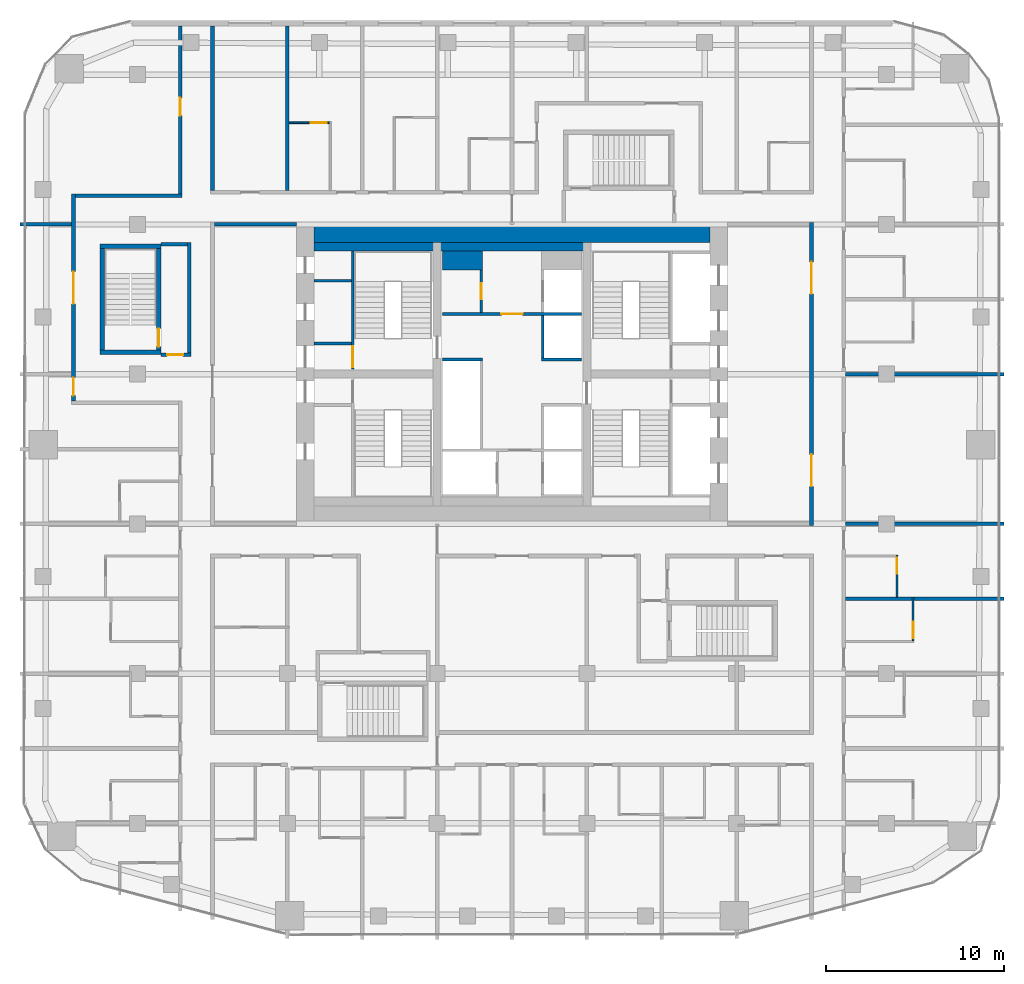
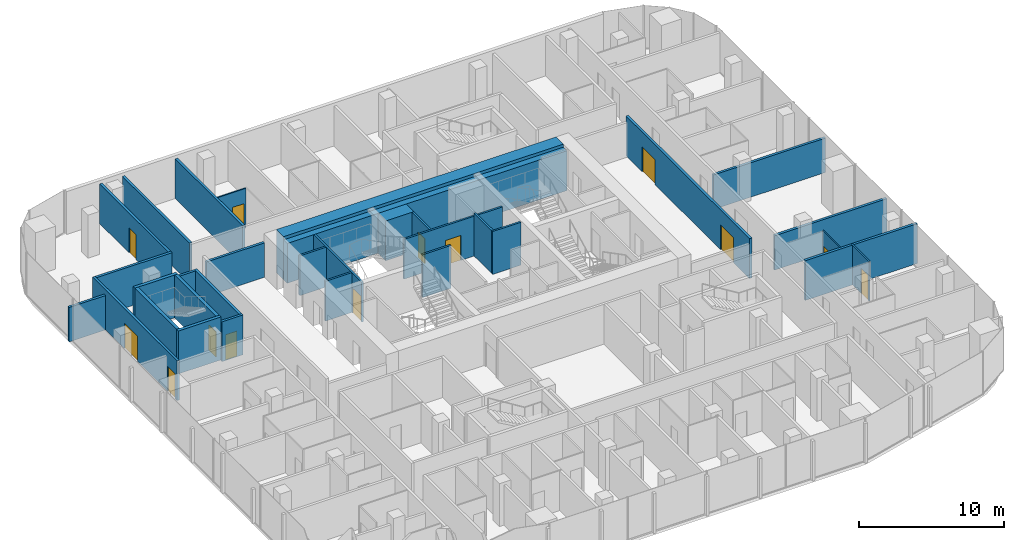
# One storey, part 18 of 23: 32 walls, 13 doors, 13 openings.
"""IFC4 building model written with IfcOpenShell, lengths in metres."""

from ifc_helpers import new_model, si_unit, direction, frame, frame_2d, origin, place, context, subcontext, project, spatial, rectangle, extrude, material, layer, layer_set, type_object, element, fill, save


model = new_model("IFC4")

# Units and contexts
model_context = context("Model", 3, precision=1e-05, world=origin(), true_north=direction((0.0, 1.0)))
body_context = subcontext(model_context, "Body", "Model", "MODEL_VIEW")
ifc_project = project(units=[si_unit("LENGTHUNIT", "METRE"), si_unit("AREAUNIT", "SQUARE_METRE"), si_unit("VOLUMEUNIT", "CUBIC_METRE"), si_unit("PLANEANGLEUNIT", "RADIAN"), si_unit("MASSUNIT", "GRAM", prefix="KILO")], contexts=[model_context])

# Site, building, storey
site_placement = place(None, origin())
site = spatial("IfcSite", under=ifc_project, at=site_placement, CompositionType="ELEMENT")
building_placement = place(site_placement, origin())
building = spatial("IfcBuilding", under=site, at=building_placement, Name="Marenta Gate Hotel Tower", CompositionType="ELEMENT")
storey_placement = place(building_placement, frame((0.0, 0.0, 104.89990234375)))
storey = spatial("IfcBuildingStorey", under=building, at=storey_placement, Name="L22", CompositionType="ELEMENT", Elevation=104.89990234375)

# Wall
ifc_material_1 = material(Name="Concrete blockwork", Category="masonry")
ifc_layer_1 = layer(ifc_material_1, 0.199951171875)
ifc_layer_set_1 = layer_set([ifc_layer_1], Name="Concrete blockwork")
wall_type_1 = type_object("IfcWallType", Name="Core boundary wall 200 REI 180", PredefinedType="PARTITIONING", material=ifc_layer_set_1)
wall_1_placement = place(storey_placement, frame((-16.699951171875, 16.800048828125, 0.0), z_axis=(0.0, 0.0, 1.0), x_axis=(1.0, 0.0, 0.0)))
element("IfcWall", 1, at=wall_1_placement, inside=storey, type_object=wall_type_1, Name="L22-CP-EW-WN", PredefinedType="PARTITIONING", context=body_context, shape_type="SweptSolid", body=[
    extrude(rectangle(XDim=4.599853515625, YDim=0.199951171875, at=frame_2d((2.2998046875, 0.0))), origin(), (0.0, 0.0, 1.0), 2.89013671875),
])

# Wall, openings, doors
wall_2_placement = place(storey_placement, frame((16.800048828125, -0.10009765625, 0.0), z_axis=(0.0, 0.0, 1.0), x_axis=(0.0, 1.0, 0.0)))
wall_2 = element("IfcWall", 2, at=wall_2_placement, inside=storey, type_object=wall_type_1, Name="L22-CP-BW-E", PredefinedType="PARTITIONING", context=body_context, shape_type="SweptSolid", body=[
    extrude(rectangle(XDim=17.0, YDim=0.199951171875, at=frame_2d((8.5, 0.0))), origin(), (0.0, 0.0, 1.0), 3.340087890625),
])
opening_1_placement = place(wall_2_placement, frame((2.199951171875, 0.0, 0.0)))
opening_1 = element("IfcOpeningElement", 3, at=opening_1_placement, cuts=wall_2, Name="Opening ED-Ea-B", PredefinedType="OPENING", context=body_context, shape_type="SweptSolid", body=[
    extrude(rectangle(XDim=1.800048828125, YDim=2.10009765625, at=frame_2d((0.89990234375, 1.050048828125))), frame((0.0, 0.10009765625, 0.0), z_axis=(0.0, -1.0, 0.0), x_axis=(1.0, 0.0, 0.0)), (0.0, 0.0, 1.0), 0.199951171875),
])
opening_2_placement = place(wall_2_placement, frame((13.0, 0.0, 0.0)))
opening_2 = element("IfcOpeningElement", 4, at=opening_2_placement, cuts=wall_2, Name="Opening ED-Eb-B", PredefinedType="OPENING", context=body_context, shape_type="SweptSolid", body=[
    extrude(rectangle(XDim=1.800048828125, YDim=2.10009765625, at=frame_2d((0.89990234375, 1.050048828125))), frame((0.0, 0.10009765625, 0.0), z_axis=(0.0, -1.0, 0.0), x_axis=(1.0, 0.0, 0.0)), (0.0, 0.0, 1.0), 0.199951171875),
])
ifc_material_2 = material(Name="Steel", Category="steel")
door_type_1 = type_object("IfcDoorType", Name="Core lobby entrance door 1800x2100 EI 60", OperationType="DOUBLE_DOOR_SINGLE_SWING", PredefinedType="DOOR", material=ifc_material_2)
door_1_placement = place(opening_1_placement, origin())
door_1 = element("IfcDoor", 5, at=door_1_placement, inside=storey, type_object=door_type_1, Name="ED-Ea-B", OperationType="DOUBLE_DOOR_SINGLE_SWING", OverallHeight=2.10009765625, OverallWidth=1.800048828125, PredefinedType="DOOR", context=body_context, shape_type="SweptSolid", body=[
    extrude(rectangle(XDim=1.800048828125, YDim=2.10009765625, at=frame_2d((0.89990234375, 1.050048828125))), frame((0.0, 0.02490234375, 0.0), z_axis=(0.0, -1.0, 0.0), x_axis=(1.0, 0.0, 0.0)), (0.0, 0.0, 1.0), 0.050048828125),
])
fill(opening_1, door_1)
door_2_placement = place(opening_2_placement, origin())
door_2 = element("IfcDoor", 6, at=door_2_placement, inside=storey, type_object=door_type_1, Name="ED-Eb-B", OperationType="DOUBLE_DOOR_SINGLE_SWING", OverallHeight=2.10009765625, OverallWidth=1.800048828125, PredefinedType="DOOR", context=body_context, shape_type="SweptSolid", body=[
    extrude(rectangle(XDim=1.800048828125, YDim=2.10009765625, at=frame_2d((0.89990234375, 1.050048828125))), frame((0.0, 0.02490234375, 0.0), z_axis=(0.0, -1.0, 0.0), x_axis=(1.0, 0.0, 0.0)), (0.0, 0.0, 1.0), 0.050048828125),
])
fill(opening_2, door_2)

# Wall
ifc_material_3 = material(Name="Concrete C40", Category="concrete")
ifc_layer_2 = layer(ifc_material_3, 0.5)
ifc_layer_set_2 = layer_set([ifc_layer_2], Name="Concrete C40")
wall_type_2 = type_object("IfcWallType", Name="Core lining wall 500 REI 180", PredefinedType="PARTITIONING", material=ifc_layer_set_2)
wall_3_placement = place(storey_placement, frame((-11.10009765625, 15.550048828125, 0.0), z_axis=(0.0, 0.0, 1.0), x_axis=(1.0, 0.0, 0.0)))
element("IfcWall", 7, at=wall_3_placement, inside=storey, type_object=wall_type_2, Name="L22-CP-LN-N", PredefinedType="PARTITIONING", context=body_context, shape_type="SweptSolid", body=[
    extrude(rectangle(XDim=22.2001953125, YDim=0.5, at=frame_2d((11.10009765625, 0.0))), origin(), (0.0, 0.0, 1.0), 3.340087890625),
])

# Wall, opening, door
ifc_material_4 = material(Name="Concrete blockwork", Category="masonry")
ifc_layer_3 = layer(ifc_material_4, 0.14990234375)
ifc_layer_set_3 = layer_set([ifc_layer_3], Name="Concrete blockwork")
wall_type_3 = type_object("IfcWallType", Name="Core lobby partition 150 REI 180", PredefinedType="PARTITIONING", material=ifc_layer_set_3)
wall_4_placement = place(storey_placement, frame((-3.89990234375, 11.77490234375, 0.0), z_axis=(0.0, 0.0, 1.0), x_axis=(1.0, 0.0, 0.0)))
wall_4 = element("IfcWall", 8, at=wall_4_placement, inside=storey, type_object=wall_type_3, Name="L22-CP-CW-N", PredefinedType="PARTITIONING", context=body_context, shape_type="SweptSolid", body=[
    extrude(rectangle(XDim=7.7998046875, YDim=0.14990234375, at=frame_2d((3.89990234375, 0.0))), origin(), (0.0, 0.0, 1.0), 3.340087890625),
])
opening_3_placement = place(wall_4_placement, frame((3.300048828125, 0.0, 0.0)))
opening_3 = element("IfcOpeningElement", 9, at=opening_3_placement, cuts=wall_4, Name="Opening FD-FFN", PredefinedType="OPENING", context=body_context, shape_type="SweptSolid", body=[
    extrude(rectangle(XDim=1.199951171875, YDim=2.10009765625, at=frame_2d((0.60009765625, 1.050048828125))), frame((0.0, 0.074951171875, 0.0), z_axis=(0.0, -1.0, 0.0), x_axis=(1.0, 0.0, 0.0)), (0.0, 0.0, 1.0), 0.14990234375),
])
ifc_material_5 = material(Name="Steel", Category="steel")
door_type_2 = type_object("IfcDoorType", Name="Core lobby door 1200x2100 FD60", OperationType="SINGLE_SWING_LEFT", PredefinedType="DOOR", material=ifc_material_5)
door_3_placement = place(opening_3_placement, origin())
door_3 = element("IfcDoor", 10, at=door_3_placement, inside=storey, type_object=door_type_2, Name="FD-FFN", OperationType="SINGLE_SWING_LEFT", OverallHeight=2.10009765625, OverallWidth=1.199951171875, PredefinedType="DOOR", context=body_context, shape_type="SweptSolid", body=[
    extrude(rectangle(XDim=1.199951171875, YDim=2.10009765625, at=frame_2d((0.60009765625, 1.050048828125))), frame((0.0, 0.02490234375, 0.0), z_axis=(0.0, -1.0, 0.0), x_axis=(1.0, 0.0, 0.0)), (0.0, 0.0, 1.0), 0.050048828125),
])
fill(opening_3, door_3)

# Walls
ifc_material_6 = material(Name="Concrete blockwork", Category="masonry")
ifc_layer_4 = layer(ifc_material_6, 1.050048828125)
ifc_layer_set_4 = layer_set([ifc_layer_4], Name="Concrete blockwork")
wall_type_4 = type_object("IfcWallType", Name="Core room partition 1050 REI 180", PredefinedType="PARTITIONING", material=ifc_layer_set_4)
wall_5_placement = place(storey_placement, frame((-3.89990234375, 14.77490234375, 0.0), z_axis=(0.0, 0.0, 1.0), x_axis=(1.0, 0.0, 0.0)))
element("IfcWall", 11, at=wall_5_placement, inside=storey, type_object=wall_type_4, Name="L22-CP-CW-W-riser-N", PredefinedType="PARTITIONING", context=body_context, shape_type="SweptSolid", body=[
    extrude(rectangle(XDim=2.25, YDim=1.050048828125, at=frame_2d((1.125, 0.0))), origin(), (0.0, 0.0, 1.0), 3.340087890625),
])
ifc_material_7 = material(Name="Concrete blockwork", Category="masonry")
ifc_layer_5 = layer(ifc_material_7, 0.14990234375)
ifc_layer_set_5 = layer_set([ifc_layer_5], Name="Concrete blockwork")
wall_type_5 = type_object("IfcWallType", Name="Core room partition 150 REI 180", PredefinedType="PARTITIONING", material=ifc_layer_set_5)
for number, where, z_axis, x_axis, name in (
    (12, (-11.10009765625, 10.125, 0.0), (0.0, 0.0, 1.0), (1.0, 0.0, 0.0), "L22-CP-SW-WN-2"),
    (13, (-11.10009765625, 13.64990234375, 0.0), (0.0, 0.0, 1.0), (1.0, 0.0, 0.0), "L22-CP-RW-WN-1"),
):
    element("IfcWall", number, at=place(storey_placement, frame(where, z_axis=z_axis, x_axis=x_axis)), inside=storey, type_object=wall_type_5, Name=name, PredefinedType="PARTITIONING", context=body_context, shape_type="SweptSolid", body=[
        extrude(rectangle(XDim=2.10009765625, YDim=0.14990234375, at=frame_2d((1.050048828125, 0.0))), origin(), (0.0, 0.0, 1.0), 3.340087890625),
    ])

# Wall, opening, door
wall_6_placement = place(storey_placement, frame((-1.72509765625, 11.85009765625, 0.0), z_axis=(0.0, 0.0, 1.0), x_axis=(0.0, 1.0, 0.0)))
wall_6 = element("IfcWall", 14, at=wall_6_placement, inside=storey, type_object=wall_type_5, Name="L22-CP-CW-W-riser-front", PredefinedType="PARTITIONING", context=body_context, shape_type="SweptSolid", body=[
    extrude(rectangle(XDim=2.39990234375, YDim=0.14990234375, at=frame_2d((1.199951171875, 0.0))), origin(), (0.0, 0.0, 1.0), 3.340087890625),
])
opening_4_placement = place(wall_6_placement, frame((0.75, 0.0, 0.0)))
opening_4 = element("IfcOpeningElement", 15, at=opening_4_placement, cuts=wall_6, Name="Opening RD-CRISER", PredefinedType="OPENING", context=body_context, shape_type="SweptSolid", body=[
    extrude(rectangle(XDim=0.89990234375, YDim=2.10009765625, at=frame_2d((0.449951171875, 1.050048828125))), frame((0.0, 0.074951171875, 0.0), z_axis=(0.0, -1.0, 0.0), x_axis=(1.0, 0.0, 0.0)), (0.0, 0.0, 1.0), 0.14990234375),
])
ifc_material_8 = material(Name="Steel", Category="steel")
door_type_3 = type_object("IfcDoorType", Name="Core riser door 900x2100 FD60", OperationType="SINGLE_SWING_LEFT", PredefinedType="DOOR", material=ifc_material_8)
door_4_placement = place(opening_4_placement, origin())
door_4 = element("IfcDoor", 16, at=door_4_placement, inside=storey, type_object=door_type_3, Name="RD-CRISER", OperationType="SINGLE_SWING_LEFT", OverallHeight=2.10009765625, OverallWidth=0.89990234375, PredefinedType="DOOR", context=body_context, shape_type="SweptSolid", body=[
    extrude(rectangle(XDim=0.89990234375, YDim=2.10009765625, at=frame_2d((0.449951171875, 1.050048828125))), frame((0.0, 0.02490234375, 0.0), z_axis=(0.0, -1.0, 0.0), x_axis=(1.0, 0.0, 0.0)), (0.0, 0.0, 1.0), 0.050048828125),
])
fill(opening_4, door_4)

# Walls
ifc_material_9 = material(Name="Concrete C40", Category="concrete")
ifc_layer_6 = layer(ifc_material_9, 0.14990234375)
ifc_layer_set_6 = layer_set([ifc_layer_6], Name="Concrete C40")
wall_type_6 = type_object("IfcWallType", Name="Core shaft wall 150 REI 180", PredefinedType="SHEAR", material=ifc_layer_set_6)
for number, where, z_axis, x_axis, name in (
    (17, (-3.89990234375, 9.22509765625, 0.0), (0.0, 0.0, 1.0), (1.0, 0.0, 0.0), "L22-SHF-CW-W-sep"),
    (18, (1.64990234375, 9.22509765625, 0.0), (0.0, 0.0, 1.0), (1.0, 0.0, 0.0), "L22-SHF-CE-sep2"),
):
    element("IfcWall", number, at=place(storey_placement, frame(where, z_axis=z_axis, x_axis=x_axis)), inside=storey, type_object=wall_type_6, Name=name, PredefinedType="SHEAR", context=body_context, shape_type="SweptSolid", body=[
        extrude(rectangle(XDim=2.25, YDim=0.14990234375, at=frame_2d((1.125, 0.0))), origin(), (0.0, 0.0, 1.0), 3.60009765625),
    ])
wall_7_placement = place(storey_placement, frame((1.72509765625, 9.300048828125, 0.0), z_axis=(0.0, 0.0, 1.0), x_axis=(0.0, 1.0, 0.0)))
element("IfcWall", 19, at=wall_7_placement, inside=storey, type_object=wall_type_6, Name="L22-SHF-CE-front-2", PredefinedType="SHEAR", context=body_context, shape_type="SweptSolid", body=[
    extrude(rectangle(XDim=2.39990234375, YDim=0.14990234375, at=frame_2d((1.199951171875, 0.0))), origin(), (0.0, 0.0, 1.0), 3.60009765625),
])

# Wall, opening, door
ifc_material_10 = material(Name="Concrete C40", Category="concrete")
ifc_layer_7 = layer(ifc_material_10, 0.14990234375)
ifc_layer_set_7 = layer_set([ifc_layer_7], Name="Concrete C40")
wall_type_7 = type_object("IfcWallType", Name="Core stair enclosure wall 150 REI 180", PredefinedType="SHEAR", material=ifc_layer_set_7)
wall_8_placement = place(storey_placement, frame((-8.925048828125, 8.699951171875, 0.0), z_axis=(0.0, 0.0, 1.0), x_axis=(0.0, 1.0, 0.0)))
wall_8 = element("IfcWall", 20, at=wall_8_placement, inside=storey, type_object=wall_type_7, Name="L22-SHF-SW-WN-3", PredefinedType="SHEAR", context=body_context, shape_type="SweptSolid", body=[
    extrude(rectangle(XDim=6.60009765625, YDim=0.14990234375, at=frame_2d((3.300048828125, 0.0))), origin(), (0.0, 0.0, 1.0), 3.340087890625),
])
opening_5_placement = place(wall_8_placement, frame((0.074951171875, 0.0, 0.0)))
opening_5 = element("IfcOpeningElement", 21, at=opening_5_placement, cuts=wall_8, Name="Opening SD-WN", PredefinedType="OPENING", context=body_context, shape_type="SweptSolid", body=[
    extrude(rectangle(XDim=1.199951171875, YDim=2.10009765625, at=frame_2d((0.60009765625, 1.050048828125))), frame((0.0, 0.074951171875, 0.0), z_axis=(0.0, -1.0, 0.0), x_axis=(1.0, 0.0, 0.0)), (0.0, 0.0, 1.0), 0.14990234375),
])
ifc_material_11 = material(Name="Steel", Category="steel")
door_type_4 = type_object("IfcDoorType", Name="Core stair door 1200x2100 FD60", OperationType="SINGLE_SWING_LEFT", PredefinedType="DOOR", material=ifc_material_11)
door_5_placement = place(opening_5_placement, origin())
door_5 = element("IfcDoor", 22, at=door_5_placement, inside=storey, type_object=door_type_4, Name="SD-WN", OperationType="SINGLE_SWING_LEFT", OverallHeight=2.10009765625, OverallWidth=1.199951171875, PredefinedType="DOOR", context=body_context, shape_type="SweptSolid", body=[
    extrude(rectangle(XDim=1.199951171875, YDim=2.10009765625, at=frame_2d((0.60009765625, 1.050048828125))), frame((0.0, 0.02490234375, 0.0), z_axis=(0.0, -1.0, 0.0), x_axis=(1.0, 0.0, 0.0)), (0.0, 0.0, 1.0), 0.050048828125),
])
fill(opening_5, door_5)

# Walls
ifc_material_12 = material(Name="Concrete C70", Category="concrete")
ifc_layer_8 = layer(ifc_material_12, 1.0)
ifc_layer_set_8 = layer_set([ifc_layer_8], Name="Concrete C70")
wall_type_8 = type_object("IfcWallType", Name="Core wall 1000 C70", PredefinedType="SHEAR", material=ifc_layer_set_8)
wall_9_placement = place(storey_placement, frame((-11.10009765625, 16.300048828125, 0.0), z_axis=(0.0, 0.0, 1.0), x_axis=(1.0, 0.0, 0.0)))
element("IfcWall", 23, at=wall_9_placement, inside=storey, type_object=wall_type_8, Name="L22-CORE-N", PredefinedType="SHEAR", context=body_context, shape_type="SweptSolid", body=[
    extrude(rectangle(XDim=22.2001953125, YDim=1.0, at=frame_2d((11.10009765625, 0.0))), origin(), (0.0, 0.0, 1.0), 3.60009765625),
])
ifc_material_13 = material(Name="Concrete C40", Category="concrete")
ifc_layer_9 = layer(ifc_material_13, 0.25)
ifc_layer_set_9 = layer_set([ifc_layer_9], Name="Concrete C40")
wall_type_9 = type_object("IfcWallType", Name="Remote stair enclosure wall 250 REI 180", PredefinedType="SHEAR", material=ifc_layer_set_9)
for number, where, z_axis, x_axis, name in (
    (24, (-23.10009765625, 9.625, 0.10009765625), (0.0, 0.0, 1.0), (1.0, 0.0, 0.0), "L22-RS-Z1-3-W1"),
    (25, (-23.10009765625, 15.574951171875, 0.10009765625), (0.0, 0.0, 1.0), (1.0, 0.0, 0.0), "L22-RS-Z1-3-W2"),
):
    element("IfcWall", number, at=place(storey_placement, frame(where, z_axis=z_axis, x_axis=x_axis)), inside=storey, type_object=wall_type_9, Name=name, PredefinedType="SHEAR", context=body_context, shape_type="SweptSolid", body=[
        extrude(rectangle(XDim=3.400146484375, YDim=0.25, at=frame_2d((1.7001953125, 0.0))), origin(), (0.0, 0.0, 1.0), 3.60009765625),
    ])
wall_10_placement = place(storey_placement, frame((-22.97509765625, 9.75, 0.10009765625), z_axis=(0.0, 0.0, 1.0), x_axis=(0.0, 1.0, 0.0)))
element("IfcWall", 26, at=wall_10_placement, inside=storey, type_object=wall_type_9, Name="L22-RS-Z1-3-W3", PredefinedType="SHEAR", context=body_context, shape_type="SweptSolid", body=[
    extrude(rectangle(XDim=5.699951171875, YDim=0.25, at=frame_2d((2.85009765625, 0.0))), origin(), (0.0, 0.0, 1.0), 3.60009765625),
])

# Wall, opening, door
wall_11_placement = place(storey_placement, frame((-19.824951171875, 9.75, 0.10009765625), z_axis=(0.0, 0.0, 1.0), x_axis=(0.0, 1.0, 0.0)))
wall_11 = element("IfcWall", 27, at=wall_11_placement, inside=storey, type_object=wall_type_9, Name="L22-RS-Z1-3-W4", PredefinedType="SHEAR", context=body_context, shape_type="SweptSolid", body=[
    extrude(rectangle(XDim=5.699951171875, YDim=0.25, at=frame_2d((2.85009765625, 0.0))), origin(), (0.0, 0.0, 1.0), 3.60009765625),
])
opening_6_placement = place(wall_11_placement, frame((0.199951171875, 0.0, 0.0)))
opening_6 = element("IfcOpeningElement", 28, at=opening_6_placement, cuts=wall_11, Name="Opening VD", PredefinedType="OPENING", context=body_context, shape_type="SweptSolid", body=[
    extrude(rectangle(XDim=1.0, YDim=2.10009765625, at=frame_2d((0.5, 1.050048828125))), frame((0.0, 0.125, 0.0), z_axis=(0.0, -1.0, 0.0), x_axis=(1.0, 0.0, 0.0)), (0.0, 0.0, 1.0), 0.25),
])
ifc_material_14 = material(Name="Steel", Category="steel")
door_type_5 = type_object("IfcDoorType", Name="Stair vestibule door 1000x2100 FD60", OperationType="SINGLE_SWING_LEFT", PredefinedType="DOOR", material=ifc_material_14)
door_6_placement = place(opening_6_placement, origin())
door_6 = element("IfcDoor", 29, at=door_6_placement, inside=storey, type_object=door_type_5, Name="VD", OperationType="SINGLE_SWING_LEFT", OverallHeight=2.10009765625, OverallWidth=1.0, PredefinedType="DOOR", context=body_context, shape_type="SweptSolid", body=[
    extrude(rectangle(XDim=1.0, YDim=2.10009765625, at=frame_2d((0.5, 1.050048828125))), frame((0.0, 0.02490234375, 0.0), z_axis=(0.0, -1.0, 0.0), x_axis=(1.0, 0.0, 0.0)), (0.0, 0.0, 1.0), 0.050048828125),
])
fill(opening_6, door_6)

# Walls
ifc_material_15 = material(Name="Gypsum board on steel stud", Category="steel")
ifc_layer_10 = layer(ifc_material_15, 0.199951171875)
ifc_layer_set_10 = layer_set([ifc_layer_10], Name="Gypsum board on steel stud")
wall_type_10 = type_object("IfcWallType", Name="Room corridor wall 200 EI 60", PredefinedType="PARTITIONING", material=ifc_layer_set_10)
wall_12_placement = place(storey_placement, frame((-16.800048828125, 18.699951171875, 0.0), z_axis=(0.0, 0.0, 1.0), x_axis=(0.0, 1.0, 0.0)))
element("IfcWall", 30, at=wall_12_placement, inside=storey, type_object=wall_type_10, Name="L22-PTN-W105", PredefinedType="PARTITIONING", context=body_context, shape_type="SweptSolid", body=[
    extrude(rectangle(XDim=9.239990234375, YDim=0.199951171875, at=frame_2d((4.6201171875, 0.0))), origin(), (0.0, 0.0, 1.0), 3.340087890625),
])
wall_13_placement = place(storey_placement, frame((-24.5, 18.39990234375, 0.0), z_axis=(0.0, 0.0, 1.0), x_axis=(1.0, 0.0, 0.0)))
element("IfcWall", 31, at=wall_13_placement, inside=storey, type_object=wall_type_10, Name="L22-PTN-W109", PredefinedType="PARTITIONING", context=body_context, shape_type="SweptSolid", body=[
    extrude(rectangle(XDim=6.0, YDim=0.199951171875, at=frame_2d((3.0, 0.0))), origin(), (0.0, 0.0, 1.0), 3.340087890625),
])

# Wall, opening, door
wall_14_placement = place(storey_placement, frame((-18.60009765625, 18.5, 0.0), z_axis=(0.0, 0.0, 1.0), x_axis=(0.0, 1.0, 0.0)))
wall_14 = element("IfcWall", 32, at=wall_14_placement, inside=storey, type_object=wall_type_10, Name="L22-PTN-W111", PredefinedType="PARTITIONING", context=body_context, shape_type="SweptSolid", body=[
    extrude(rectangle(XDim=9.43994140625, YDim=0.199951171875, at=frame_2d((4.719970703125, 0.0))), origin(), (0.0, 0.0, 1.0), 3.340087890625),
])
opening_7_placement = place(wall_14_placement, frame((4.39990234375, 0.0, 0.0)))
opening_7 = element("IfcOpeningElement", 33, at=opening_7_placement, cuts=wall_14, Name="Opening G08-70", PredefinedType="OPENING", context=body_context, shape_type="SweptSolid", body=[
    extrude(rectangle(XDim=1.0, YDim=2.10009765625, at=frame_2d((0.5, 1.050048828125))), frame((0.0, 0.10009765625, 0.0), z_axis=(0.0, -1.0, 0.0), x_axis=(1.0, 0.0, 0.0)), (0.0, 0.0, 1.0), 0.199951171875),
])
ifc_material_16 = material(Name="Timber door leaf", Category="wood")
door_type_6 = type_object("IfcDoorType", Name="Room amenity door 1000x2100 EI 30", OperationType="NOTDEFINED", PredefinedType="DOOR", material=ifc_material_16)
door_7_placement = place(opening_7_placement, origin())
door_7 = element("IfcDoor", 34, at=door_7_placement, inside=storey, type_object=door_type_6, Name="L22-PD-D070", OperationType="SINGLE_SWING_RIGHT", OverallHeight=2.10009765625, OverallWidth=1.0, PredefinedType="DOOR", context=body_context, shape_type="SweptSolid", body=[
    extrude(rectangle(XDim=1.0, YDim=2.10009765625, at=frame_2d((0.5, 1.050048828125))), frame((0.0, 0.02490234375, 0.0), z_axis=(0.0, -1.0, 0.0), x_axis=(1.0, 0.0, 0.0)), (0.0, 0.0, 1.0), 0.050048828125),
])
fill(opening_7, door_7)

# Wall, openings, doors
wall_15_placement = place(storey_placement, frame((-24.60009765625, 6.89990234375, 0.0), z_axis=(0.0, 0.0, 1.0), x_axis=(0.0, 1.0, 0.0)))
wall_15 = element("IfcWall", 35, at=wall_15_placement, inside=storey, type_object=wall_type_10, Name="L22-PTN-W129", PredefinedType="PARTITIONING", context=body_context, shape_type="SweptSolid", body=[
    extrude(rectangle(XDim=11.60009765625, YDim=0.199951171875, at=frame_2d((5.800048828125, 0.0))), origin(), (0.0, 0.0, 1.0), 3.340087890625),
])
opening_8_placement = place(wall_15_placement, frame((5.449951171875, 0.0, 0.0)))
opening_8 = element("IfcOpeningElement", 36, at=opening_8_placement, cuts=wall_15, Name="Opening G08-65", PredefinedType="OPENING", context=body_context, shape_type="SweptSolid", body=[
    extrude(rectangle(XDim=1.800048828125, YDim=2.10009765625, at=frame_2d((0.89990234375, 1.050048828125))), frame((0.0, 0.10009765625, 0.0), z_axis=(0.0, -1.0, 0.0), x_axis=(1.0, 0.0, 0.0)), (0.0, 0.0, 1.0), 0.199951171875),
])
opening_9_placement = place(wall_15_placement, frame((0.300048828125, 0.0, 0.0)))
opening_9 = element("IfcOpeningElement", 37, at=opening_9_placement, cuts=wall_15, Name="Opening G08-71", PredefinedType="OPENING", context=body_context, shape_type="SweptSolid", body=[
    extrude(rectangle(XDim=1.0, YDim=2.10009765625, at=frame_2d((0.5, 1.050048828125))), frame((0.0, 0.10009765625, 0.0), z_axis=(0.0, -1.0, 0.0), x_axis=(1.0, 0.0, 0.0)), (0.0, 0.0, 1.0), 0.199951171875),
])
door_8_placement = place(opening_9_placement, origin())
door_8 = element("IfcDoor", 38, at=door_8_placement, inside=storey, type_object=door_type_6, Name="L22-PD-D071", OperationType="SINGLE_SWING_LEFT", OverallHeight=2.10009765625, OverallWidth=1.0, PredefinedType="DOOR", context=body_context, shape_type="SweptSolid", body=[
    extrude(rectangle(XDim=1.0, YDim=2.10009765625, at=frame_2d((0.5, 1.050048828125))), frame((0.0, 0.02490234375, 0.0), z_axis=(0.0, -1.0, 0.0), x_axis=(1.0, 0.0, 0.0)), (0.0, 0.0, 1.0), 0.050048828125),
])
fill(opening_9, door_8)
ifc_material_17 = material(Name="Timber door leaf", Category="wood")
door_type_7 = type_object("IfcDoorType", Name="Room amenity door 1800x2100 EI 30", OperationType="DOUBLE_DOOR_SINGLE_SWING", PredefinedType="DOOR", material=ifc_material_17)
door_9_placement = place(opening_8_placement, origin())
door_9 = element("IfcDoor", 39, at=door_9_placement, inside=storey, type_object=door_type_7, Name="L22-PD-D065", OperationType="DOUBLE_DOOR_SINGLE_SWING", OverallHeight=2.10009765625, OverallWidth=1.800048828125, PredefinedType="DOOR", context=body_context, shape_type="SweptSolid", body=[
    extrude(rectangle(XDim=1.800048828125, YDim=2.10009765625, at=frame_2d((0.89990234375, 1.050048828125))), frame((0.0, 0.02490234375, 0.0), z_axis=(0.0, -1.0, 0.0), x_axis=(1.0, 0.0, 0.0)), (0.0, 0.0, 1.0), 0.050048828125),
])
fill(opening_8, door_9)

# Wall, opening, door
ifc_material_18 = material(Name="Concrete blockwork", Category="masonry")
ifc_layer_11 = layer(ifc_material_18, 0.199951171875)
ifc_layer_set_11 = layer_set([ifc_layer_11], Name="Concrete blockwork")
wall_type_11 = type_object("IfcWallType", Name="Room corridor wall 200 REI 180", PredefinedType="PARTITIONING", material=ifc_layer_set_11)
wall_16_placement = place(storey_placement, frame((-19.699951171875, 9.5, 0.0), z_axis=(0.0, 0.0, 1.0), x_axis=(1.0, 0.0, 0.0)))
wall_16 = element("IfcWall", 40, at=wall_16_placement, inside=storey, type_object=wall_type_11, Name="L22-PTN-W091", PredefinedType="PARTITIONING", context=body_context, shape_type="SweptSolid", body=[
    extrude(rectangle(XDim=1.699951171875, YDim=0.199951171875, at=frame_2d((0.85009765625, 0.0))), origin(), (0.0, 0.0, 1.0), 3.340087890625),
])
opening_10_placement = place(wall_16_placement, frame((0.35009765625, 0.0, 0.0)))
opening_10 = element("IfcOpeningElement", 41, at=opening_10_placement, cuts=wall_16, Name="Opening G08-66", PredefinedType="OPENING", context=body_context, shape_type="SweptSolid", body=[
    extrude(rectangle(XDim=0.89990234375, YDim=2.10009765625, at=frame_2d((0.449951171875, 1.050048828125))), frame((0.0, 0.10009765625, 0.0), z_axis=(0.0, -1.0, 0.0), x_axis=(1.0, 0.0, 0.0)), (0.0, 0.0, 1.0), 0.199951171875),
])
ifc_material_19 = material(Name="Hollow steel door set", Category="steel")
door_type_8 = type_object("IfcDoorType", Name="Stair vestibule door 900x2100 EI 60", OperationType="NOTDEFINED", PredefinedType="DOOR", material=ifc_material_19)
door_10_placement = place(opening_10_placement, origin())
door_10 = element("IfcDoor", 42, at=door_10_placement, inside=storey, type_object=door_type_8, Name="L22-PD-D066", OperationType="SINGLE_SWING_RIGHT", OverallHeight=2.10009765625, OverallWidth=0.89990234375, PredefinedType="DOOR", context=body_context, shape_type="SweptSolid", body=[
    extrude(rectangle(XDim=0.89990234375, YDim=2.10009765625, at=frame_2d((0.449951171875, 1.050048828125))), frame((0.0, 0.02490234375, 0.0), z_axis=(0.0, -1.0, 0.0), x_axis=(1.0, 0.0, 0.0)), (0.0, 0.0, 1.0), 0.050048828125),
])
fill(opening_10, door_10)

# Walls
wall_17_placement = place(storey_placement, frame((-19.699951171875, 15.699951171875, 0.0), z_axis=(0.0, 0.0, 1.0), x_axis=(1.0, 0.0, 0.0)))
element("IfcWall", 43, at=wall_17_placement, inside=storey, type_object=wall_type_11, Name="L22-PTN-W102", PredefinedType="PARTITIONING", context=body_context, shape_type="SweptSolid", body=[
    extrude(rectangle(XDim=1.5, YDim=0.199951171875, at=frame_2d((0.75, 0.0))), origin(), (0.0, 0.0, 1.0), 3.340087890625),
])
wall_18_placement = place(storey_placement, frame((-18.10009765625, 9.60009765625, 0.0), z_axis=(0.0, 0.0, 1.0), x_axis=(0.0, 1.0, 0.0)))
element("IfcWall", 44, at=wall_18_placement, inside=storey, type_object=wall_type_11, Name="L22-PTN-W108", PredefinedType="PARTITIONING", context=body_context, shape_type="SweptSolid", body=[
    extrude(rectangle(XDim=6.199951171875, YDim=0.199951171875, at=frame_2d((3.10009765625, 0.0))), origin(), (0.0, 0.0, 1.0), 3.340087890625),
])

# Wall, opening, door
ifc_material_20 = material(Name="Gypsum board on steel stud", Category="steel")
ifc_layer_12 = layer(ifc_material_20, 0.10009765625)
ifc_layer_set_12 = layer_set([ifc_layer_12], Name="Gypsum board on steel stud")
wall_type_12 = type_object("IfcWallType", Name="Room partition 100", PredefinedType="PARTITIONING", material=ifc_layer_set_12)
wall_19_placement = place(storey_placement, frame((22.5, -6.550048828125, 0.0), z_axis=(0.0, 0.0, 1.0), x_axis=(0.0, 1.0, 0.0)))
wall_19 = element("IfcWall", 45, at=wall_19_placement, inside=storey, type_object=wall_type_12, Name="L22-PTN-W002", PredefinedType="PARTITIONING", context=body_context, shape_type="SweptSolid", body=[
    extrude(rectangle(XDim=2.449951171875, YDim=0.10009765625, at=frame_2d((1.22509765625, 0.0))), origin(), (0.0, 0.0, 1.0), 3.340087890625),
])
opening_11_placement = place(wall_19_placement, frame((0.14990234375, 0.0, 0.0)))
opening_11 = element("IfcOpeningElement", 46, at=opening_11_placement, cuts=wall_19, Name="Opening G08-13", PredefinedType="OPENING", context=body_context, shape_type="SweptSolid", body=[
    extrude(rectangle(XDim=0.89990234375, YDim=2.10009765625, at=frame_2d((0.449951171875, 1.050048828125))), frame((0.0, 0.050048828125, 0.0), z_axis=(0.0, -1.0, 0.0), x_axis=(1.0, 0.0, 0.0)), (0.0, 0.0, 1.0), 0.10009765625),
])
ifc_material_21 = material(Name="Timber door leaf", Category="wood")
door_type_9 = type_object("IfcDoorType", Name="Guest bathroom door 900x2100", OperationType="NOTDEFINED", PredefinedType="DOOR", material=ifc_material_21)
door_11_placement = place(opening_11_placement, origin())
door_11 = element("IfcDoor", 47, at=door_11_placement, inside=storey, type_object=door_type_9, Name="L22-PD-D013", OperationType="SINGLE_SWING_LEFT", OverallHeight=2.10009765625, OverallWidth=0.89990234375, PredefinedType="DOOR", context=body_context, shape_type="SweptSolid", body=[
    extrude(rectangle(XDim=0.89990234375, YDim=2.10009765625, at=frame_2d((0.449951171875, 1.050048828125))), frame((0.0, 0.02490234375, 0.0), z_axis=(0.0, -1.0, 0.0), x_axis=(1.0, 0.0, 0.0)), (0.0, 0.0, 1.0), 0.050048828125),
])
fill(opening_11, door_11)

wall_20_placement = place(storey_placement, frame((21.60009765625, -4.10009765625, 0.0), z_axis=(0.0, 0.0, 1.0), x_axis=(0.0, 1.0, 0.0)))
wall_20 = element("IfcWall", 48, at=wall_20_placement, inside=storey, type_object=wall_type_12, Name="L22-PTN-W008", PredefinedType="PARTITIONING", context=body_context, shape_type="SweptSolid", body=[
    extrude(rectangle(XDim=2.35009765625, YDim=0.10009765625, at=frame_2d((1.175048828125, 0.0))), origin(), (0.0, 0.0, 1.0), 3.340087890625),
])
opening_12_placement = place(wall_20_placement, frame((1.300048828125, 0.0, 0.0)))
opening_12 = element("IfcOpeningElement", 49, at=opening_12_placement, cuts=wall_20, Name="Opening G08-15", PredefinedType="OPENING", context=body_context, shape_type="SweptSolid", body=[
    extrude(rectangle(XDim=0.89990234375, YDim=2.10009765625, at=frame_2d((0.449951171875, 1.050048828125))), frame((0.0, 0.050048828125, 0.0), z_axis=(0.0, -1.0, 0.0), x_axis=(1.0, 0.0, 0.0)), (0.0, 0.0, 1.0), 0.10009765625),
])
door_12_placement = place(opening_12_placement, origin())
door_12 = element("IfcDoor", 50, at=door_12_placement, inside=storey, type_object=door_type_9, Name="L22-PD-D015", OperationType="SINGLE_SWING_RIGHT", OverallHeight=2.10009765625, OverallWidth=0.89990234375, PredefinedType="DOOR", context=body_context, shape_type="SweptSolid", body=[
    extrude(rectangle(XDim=0.89990234375, YDim=2.10009765625, at=frame_2d((0.449951171875, 1.050048828125))), frame((0.0, 0.02490234375, 0.0), z_axis=(0.0, -1.0, 0.0), x_axis=(1.0, 0.0, 0.0)), (0.0, 0.0, 1.0), 0.050048828125),
])
fill(opening_12, door_12)

wall_21_placement = place(storey_placement, frame((-12.5, 22.5, 0.0), z_axis=(0.0, 0.0, 1.0), x_axis=(1.0, 0.0, 0.0)))
wall_21 = element("IfcWall", 51, at=wall_21_placement, inside=storey, type_object=wall_type_12, Name="L22-PTN-W124", PredefinedType="PARTITIONING", context=body_context, shape_type="SweptSolid", body=[
    extrude(rectangle(XDim=2.25, YDim=0.10009765625, at=frame_2d((1.125, 0.0))), origin(), (0.0, 0.0, 1.0), 3.340087890625),
])
opening_13_placement = place(wall_21_placement, frame((1.199951171875, 0.0, 0.0)))
opening_13 = element("IfcOpeningElement", 52, at=opening_13_placement, cuts=wall_21, Name="Opening G08-27", PredefinedType="OPENING", context=body_context, shape_type="SweptSolid", body=[
    extrude(rectangle(XDim=0.89990234375, YDim=2.10009765625, at=frame_2d((0.449951171875, 1.050048828125))), frame((0.0, 0.050048828125, 0.0), z_axis=(0.0, -1.0, 0.0), x_axis=(1.0, 0.0, 0.0)), (0.0, 0.0, 1.0), 0.10009765625),
])
door_13_placement = place(opening_13_placement, origin())
door_13 = element("IfcDoor", 53, at=door_13_placement, inside=storey, type_object=door_type_9, Name="L22-PD-D027", OperationType="SINGLE_SWING_LEFT", OverallHeight=2.10009765625, OverallWidth=0.89990234375, PredefinedType="DOOR", context=body_context, shape_type="SweptSolid", body=[
    extrude(rectangle(XDim=0.89990234375, YDim=2.10009765625, at=frame_2d((0.449951171875, 1.050048828125))), frame((0.0, 0.02490234375, 0.0), z_axis=(0.0, -1.0, 0.0), x_axis=(1.0, 0.0, 0.0)), (0.0, 0.0, 1.0), 0.050048828125),
])
fill(opening_13, door_13)

# Walls
ifc_material_22 = material(Name="Gypsum board on steel stud", Category="steel")
ifc_layer_13 = layer(ifc_material_22, 0.199951171875)
ifc_layer_set_13 = layer_set([ifc_layer_13], Name="Gypsum board on steel stud")
wall_type_13 = type_object("IfcWallType", Name="Room party wall 200 EI 60", PredefinedType="PARTITIONING", material=ifc_layer_set_13)
wall_22_placement = place(storey_placement, frame((18.699951171875, -4.199951171875, 0.0), z_axis=(0.0, 0.0, 1.0), x_axis=(1.0, 0.0, 0.0)))
element("IfcWall", 54, at=wall_22_placement, inside=storey, type_object=wall_type_13, Name="L22-PTN-W062", PredefinedType="PARTITIONING", context=body_context, shape_type="SweptSolid", body=[
    extrude(rectangle(XDim=8.900146484375, YDim=0.199951171875, at=frame_2d((4.4501953125, 0.0))), origin(), (0.0, 0.0, 1.0), 3.340087890625),
])
for number, where, z_axis, x_axis, name in (
    (55, (18.699951171875, 0.0, 0.0), (0.0, 0.0, 1.0), (1.0, 0.0, 0.0), "L22-PTN-W074"),
    (56, (18.699951171875, 8.39990234375, 0.0), (0.0, 0.0, 1.0), (1.0, 0.0, 0.0), "L22-PTN-W089"),
):
    element("IfcWall", number, at=place(storey_placement, frame(where, z_axis=z_axis, x_axis=x_axis)), inside=storey, type_object=wall_type_13, Name=name, PredefinedType="PARTITIONING", context=body_context, shape_type="SweptSolid", body=[
        extrude(rectangle(XDim=8.900146484375, YDim=0.199951171875, at=frame_2d((4.4501953125, 0.0))), origin(), (0.0, 0.0, 1.0), 2.89013671875),
    ])
wall_23_placement = place(storey_placement, frame((-12.60009765625, 18.699951171875, 0.0), z_axis=(0.0, 0.0, 1.0), x_axis=(0.0, 1.0, 0.0)))
element("IfcWall", 57, at=wall_23_placement, inside=storey, type_object=wall_type_13, Name="L22-PTN-W098", PredefinedType="PARTITIONING", context=body_context, shape_type="SweptSolid", body=[
    extrude(rectangle(XDim=9.239990234375, YDim=0.199951171875, at=frame_2d((4.6201171875, 0.0))), origin(), (0.0, 0.0, 1.0), 3.340087890625),
])
wall_24_placement = place(storey_placement, frame((-27.60009765625, 16.800048828125, 0.0), z_axis=(0.0, 0.0, 1.0), x_axis=(1.0, 0.0, 0.0)))
element("IfcWall", 58, at=wall_24_placement, inside=storey, type_object=wall_type_13, Name="L22-PTN-W106", PredefinedType="PARTITIONING", context=body_context, shape_type="SweptSolid", body=[
    extrude(rectangle(XDim=2.900146484375, YDim=0.199951171875, at=frame_2d((1.4501953125, 0.0))), origin(), (0.0, 0.0, 1.0), 2.89013671875),
])

save(model, "model.ifc")
